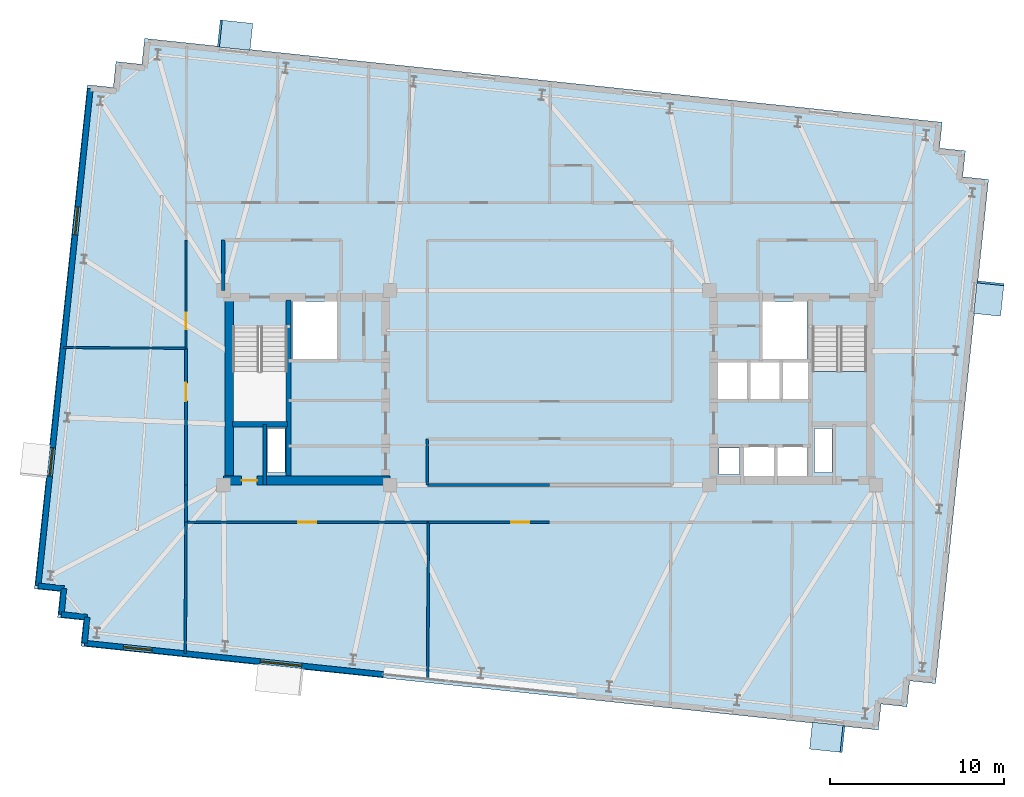
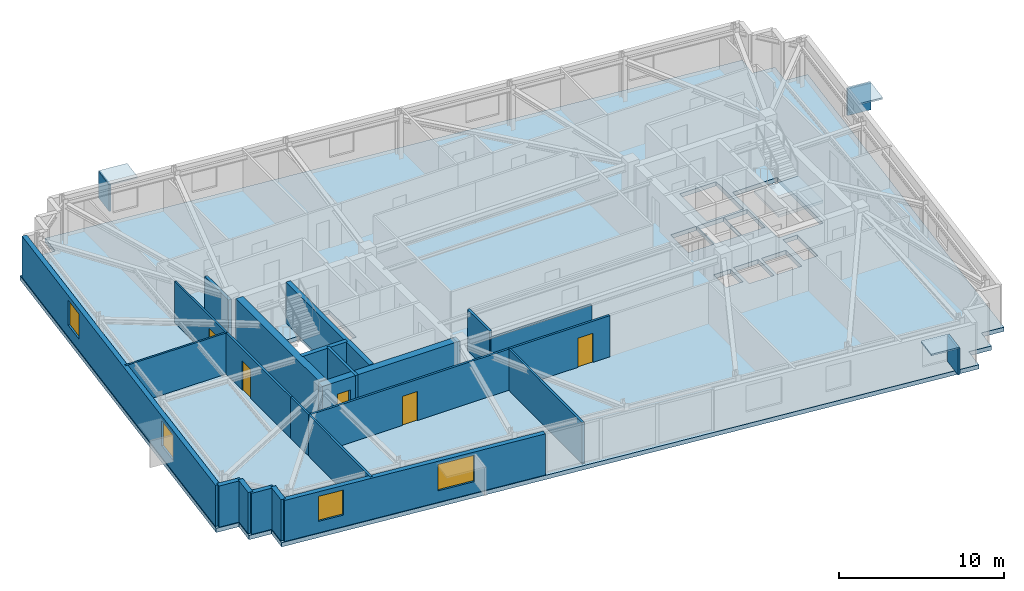
# One storey, part 7 of 13: 22 walls, 6 plates, 5 doors, 4 windows, 2 slabs, 9 openings, 1 element without a shape of its own.
"""IFC4 building model written with IfcOpenShell, lengths in metres."""

from ifc_helpers import new_model, si_unit, direction, frame, frame_2d, origin, origin_2d, place, context, subcontext, project, spatial, polyline, rectangle, outline, extrude, material, layer, layer_set, type_object, element, fill, aggregate, save


model = new_model("IFC4")

# Units and contexts
model_context = context("Model", 3, precision=1e-05, world=origin(), true_north=direction((0.0, 1.0)))
body_context = subcontext(model_context, "Body", "Model", "MODEL_VIEW")
ifc_project = project(units=[si_unit("LENGTHUNIT", "METRE"), si_unit("AREAUNIT", "SQUARE_METRE"), si_unit("VOLUMEUNIT", "CUBIC_METRE"), si_unit("PLANEANGLEUNIT", "RADIAN"), si_unit("MASSUNIT", "GRAM", prefix="KILO")], contexts=[model_context])

# Site, building, storey
site_placement = place(None, origin())
site = spatial("IfcSite", under=ifc_project, at=site_placement, CompositionType="ELEMENT")
building_placement = place(site_placement, origin())
building = spatial("IfcBuilding", under=site, at=building_placement, Name="Qobustan Lattice House", CompositionType="ELEMENT")
storey_placement = place(building_placement, frame((0.0, 0.0, 196.39990234375)))
storey = spatial("IfcBuildingStorey", under=building, at=storey_placement, Name="L55", CompositionType="ELEMENT", Elevation=196.39990234375)

# Plates
ifc_material_1 = material(Name="Qobustan limestone GFRC", Category="masonry")
ifc_layer_1 = layer(ifc_material_1, 0.1201171875)
ifc_layer_set_1 = layer_set([ifc_layer_1], Name="Qobustan limestone GFRC")
plate_type = type_object("IfcPlateType", Name="SHD-HOOD-BROW", PredefinedType="USERDEFINED", material=ifc_layer_set_1)
plate_1_placement = place(storey_placement, frame((-18.12158203125, 20.304443359375, 2.699951171875), z_axis=(0.0, 0.0, 1.0), x_axis=(0.994521895368, -0.104528463268, 0.0)))
element("IfcPlate", 1, at=plate_1_placement, inside=storey, type_object=plate_type, Name="L55 splayed Qobustan stone hood brow", ObjectType="SUNSHADE", PredefinedType="USERDEFINED", context=body_context, shape_type="SweptSolid", body=[
    extrude(rectangle(XDim=1.889892578125, YDim=1.56005859375, at=origin_2d()), origin(), (0.0, 0.0, 1.0), 0.1201171875),
])
plate_2_placement = place(storey_placement, frame((-19.001708984375, 20.39697265625, 0.7900390625), z_axis=(0.0, 0.0, 1.0), x_axis=(0.994521895368, -0.104528463268, 0.0)))
element("IfcPlate", 2, at=plate_2_placement, inside=storey, type_object=plate_type, Name="L55 splayed Qobustan stone hood cheek", ObjectType="SUNSHADE", PredefinedType="USERDEFINED", context=body_context, shape_type="SweptSolid", body=[
    extrude(rectangle(XDim=0.1201171875, YDim=1.56005859375, at=origin_2d()), origin(), (0.0, 0.0, 1.0), 1.969970703125),
])
plate_3_placement = place(storey_placement, frame((25.29638671875, 5.134521484375, 2.699951171875), z_axis=(0.0, 0.0, 1.0), x_axis=(-0.104528463268, -0.994521895368, 0.0)))
element("IfcPlate", 3, at=plate_3_placement, inside=storey, type_object=plate_type, Name="L55 splayed Qobustan stone hood brow", ObjectType="SUNSHADE", PredefinedType="USERDEFINED", context=body_context, shape_type="SweptSolid", body=[
    extrude(rectangle(XDim=1.889892578125, YDim=1.56005859375, at=origin_2d()), origin(), (0.0, 0.0, 1.0), 0.1201171875),
])
plate_4_placement = place(storey_placement, frame((25.388916015625, 6.0146484375, 0.7900390625), z_axis=(0.0, 0.0, 1.0), x_axis=(-0.104528463268, -0.994521895368, 0.0)))
element("IfcPlate", 4, at=plate_4_placement, inside=storey, type_object=plate_type, Name="L55 splayed Qobustan stone hood cheek", ObjectType="SUNSHADE", PredefinedType="USERDEFINED", context=body_context, shape_type="SweptSolid", body=[
    extrude(rectangle(XDim=0.1201171875, YDim=1.56005859375, at=origin_2d()), origin(), (0.0, 0.0, 1.0), 1.969970703125),
])
plate_5_placement = place(storey_placement, frame((15.990234375, -20.142822265625, 2.699951171875), z_axis=(0.0, 0.0, 1.0), x_axis=(-0.994521895368, 0.104528463268, 0.0)))
element("IfcPlate", 5, at=plate_5_placement, inside=storey, type_object=plate_type, Name="L55 splayed Qobustan stone hood brow", ObjectType="SUNSHADE", PredefinedType="USERDEFINED", context=body_context, shape_type="SweptSolid", body=[
    extrude(rectangle(XDim=1.889892578125, YDim=1.56005859375, at=origin_2d()), origin(), (0.0, 0.0, 1.0), 0.1201171875),
])
plate_6_placement = place(storey_placement, frame((16.870361328125, -20.2353515625, 0.7900390625), z_axis=(0.0, 0.0, 1.0), x_axis=(-0.994521895368, 0.104528463268, 0.0)))
element("IfcPlate", 6, at=plate_6_placement, inside=storey, type_object=plate_type, Name="L55 splayed Qobustan stone hood cheek", ObjectType="SUNSHADE", PredefinedType="USERDEFINED", context=body_context, shape_type="SweptSolid", body=[
    extrude(rectangle(XDim=0.1201171875, YDim=1.56005859375, at=origin_2d()), origin(), (0.0, 0.0, 1.0), 1.969970703125),
])

# Slab
ifc_material_2 = material(Name="Concrete C40/50", Category="concrete")
ifc_layer_2 = layer(ifc_material_2, 0.31005859375)
ifc_layer_set_2 = layer_set([ifc_layer_2], Name="Concrete C40/50")
slab_type_1 = type_object("IfcSlabType", Name="SLB-FLR-310", PredefinedType="FLOOR", material=ifc_layer_set_2)
slab_1_placement = place(storey_placement, frame((0.0, 0.0, -0.309814453125)))
element("IfcSlab", 7, at=slab_1_placement, inside=storey, type_object=slab_type_1, Name="L55 structural floor slab", PredefinedType="FLOOR", context=body_context, shape_type="SweptSolid", body=[
    extrude(outline(polyline([(-27.01318359375, -14.888916015625), (18.933837890625, -19.71826171875), (19.090576171875, -18.226318359375), (20.582275390625, -18.38330078125), (20.739013671875, -16.891357421875), (22.23095703125, -17.048095703125), (25.283203125, 11.99169921875), (23.79150390625, 12.148681640625), (23.947998046875, 13.640380859375), (22.456298828125, 13.797119140625), (22.61328125, 15.2890625), (-23.333740234375, 20.1181640625), (-23.490478515625, 18.62646484375), (-24.982421875, 18.783203125), (-25.13916015625, 17.29150390625), (-26.630859375, 17.4482421875), (-29.68310546875, -11.591796875), (-28.19140625, -11.74853515625), (-28.34814453125, -13.240478515625), (-26.8564453125, -13.397216796875), (-27.01318359375, -14.888916015625)]), holes=[polyline([(-18.25, -2.050048828125), (-18.25, 3.489990234375), (-15.1298828125, 3.489990234375), (-15.1298828125, -2.050048828125), (-18.25, -2.050048828125)]), polyline([(15.1298828125, -2.050048828125), (15.1298828125, 3.489990234375), (18.25, 3.489990234375), (18.25, -2.050048828125), (15.1298828125, -2.050048828125)]), polyline([(-14.820068359375, 1.64990234375), (-14.820068359375, 4.9599609375), (-12.25, 4.9599609375), (-12.25, 1.64990234375), (-14.820068359375, 1.64990234375)]), polyline([(12.25, 1.64990234375), (12.25, 4.9599609375), (14.820068359375, 4.9599609375), (14.820068359375, 1.64990234375), (12.25, 1.64990234375)]), polyline([(-16.260009765625, -4.8798828125), (-16.260009765625, -2.360107421875), (-15.260009765625, -2.360107421875), (-15.260009765625, -4.8798828125), (-16.260009765625, -4.8798828125)]), polyline([(15.260009765625, -4.8798828125), (15.260009765625, -2.360107421875), (16.260009765625, -2.360107421875), (16.260009765625, -4.8798828125), (15.260009765625, -4.8798828125)]), polyline([(11.179931640625, -5.35009765625), (11.179931640625, -3.419921875), (12.919921875, -3.419921875), (12.919921875, -5.35009765625), (11.179931640625, -5.35009765625)]), polyline([(13.1201171875, -5.35009765625), (13.1201171875, -3.419921875), (14.85009765625, -3.419921875), (14.85009765625, -5.35009765625), (13.1201171875, -5.35009765625)]), polyline([(9.760009765625, -5.0), (9.760009765625, -3.47998046875), (10.93994140625, -3.47998046875), (10.93994140625, -5.0), (9.760009765625, -5.0)]), polyline([(13.360107421875, -0.679931640625), (13.360107421875, 1.47998046875), (14.97998046875, 1.47998046875), (14.97998046875, -0.679931640625), (13.360107421875, -0.679931640625)]), polyline([(9.6201171875, -0.679931640625), (9.6201171875, 1.47998046875), (11.43994140625, 1.47998046875), (11.43994140625, -0.679931640625), (9.6201171875, -0.679931640625)]), polyline([(11.5, -0.679931640625), (11.5, 1.47998046875), (13.320068359375, 1.47998046875), (13.320068359375, -0.679931640625), (11.5, -0.679931640625)])]), origin(), (0.0, 0.0, 1.0), 0.309814453125),
])

# Stair, slab
ifc_material_3 = material(Name="Concrete C40/50", Category="concrete")
stair_type = type_object("IfcStairType", Name="STR-CORE-DOGLEG", PredefinedType="HALF_TURN_STAIR", material=ifc_material_3)
stair_placement = place(storey_placement, origin())
stair = element("IfcStair", 8, at=stair_placement, inside=storey, type_object=stair_type, Name="L55 East protected exit stair ST-E1", PredefinedType="HALF_TURN_STAIR")
ifc_material_4 = material(Name="Concrete C40/50", Category="concrete")
ifc_layer_3 = layer(ifc_material_4, 0.199951171875)
ifc_layer_set_3 = layer_set([ifc_layer_3], Name="Concrete C40/50")
slab_type_2 = type_object("IfcSlabType", Name="SLB-LANDING-200", PredefinedType="LANDING", material=ifc_layer_set_3)
slab_2_placement = place(storey_placement, frame((0.0, 0.0, 1.47509765625)))
slab_2 = element("IfcSlab", 9, at=slab_2_placement, type_object=slab_type_2, Name="ST-E1 landing 1", PredefinedType="LANDING", context=body_context, shape_type="SweptSolid", body=[
    extrude(outline(polyline([(15.1298828125, 0.93505859375), (15.1298828125, -2.050048828125), (18.25, -2.050048828125), (18.25, 0.93505859375), (15.1298828125, 0.93505859375)])), origin(), (0.0, 0.0, 1.0), 0.199951171875),
])
aggregate(stair, [slab_2])

# Wall, opening, door
ifc_material_5 = material(Name="Concrete C50/60", Category="concrete")
ifc_layer_4 = layer(ifc_material_5, 0.5)
ifc_layer_set_4 = layer_set([ifc_layer_4], Name="Concrete C50/60")
wall_type_1 = type_object("IfcWallType", Name="WAL-CORE-500", PredefinedType="SHEAR", material=ifc_layer_set_4)
wall_1_placement = place(storey_placement, frame((-18.800048828125, -5.35009765625, 0.0), z_axis=(0.0, 0.0, 1.0), x_axis=(1.0, 0.0, 0.0)))
wall_1 = element("IfcWall", 10, at=wall_1_placement, inside=storey, type_object=wall_type_1, Name="L55 split-core shear wall CW-S", PredefinedType="SHEAR", context=body_context, shape_type="SweptSolid", body=[
    extrude(rectangle(XDim=9.60009765625, YDim=0.5, at=frame_2d((4.800048828125, 0.0))), origin(), (0.0, 0.0, 1.0), 3.0400390625),
])
opening_1_placement = place(wall_1_placement, frame((1.050048828125, 0.0, 0.0)))
opening_1 = element("IfcOpeningElement", 11, at=opening_1_placement, cuts=wall_1, Name="Opening RD-01", PredefinedType="OPENING", context=body_context, shape_type="SweptSolid", body=[
    extrude(rectangle(XDim=0.89990234375, YDim=2.10009765625, at=frame_2d((0.449951171875, 1.050048828125))), frame((0.0, 0.260009765625, 0.0), z_axis=(0.0, -1.0, 0.0), x_axis=(1.0, 0.0, 0.0)), (0.0, 0.0, 1.0), 0.52001953125),
])
ifc_material_6 = material(Name="Persian walnut timber and steel frame door", Category="steel")
door_type_1 = type_object("IfcDoorType", Name="DOR-RISER-FD-900x2100", OperationType="NOTDEFINED", PredefinedType="DOOR", material=ifc_material_6)
door_1_placement = place(opening_1_placement, origin())
door_1 = element("IfcDoor", 12, at=door_1_placement, inside=storey, type_object=door_type_1, Name="L55 core service riser access door W", OperationType="SINGLE_SWING_LEFT", OverallHeight=2.10009765625, OverallWidth=0.89990234375, PredefinedType="DOOR", context=body_context, shape_type="SweptSolid", body=[
    extrude(rectangle(XDim=0.89990234375, YDim=2.10009765625, at=frame_2d((0.449951171875, 1.050048828125))), frame((0.0, 0.02490234375, 0.0), z_axis=(0.0, -1.0, 0.0), x_axis=(1.0, 0.0, 0.0)), (0.0, 0.0, 1.0), 0.050048828125),
])
fill(opening_1, door_1)

# Walls
wall_2_placement = place(storey_placement, frame((-18.4599609375, -5.050048828125, 0.0), z_axis=(0.0, 0.0, 1.0), x_axis=(0.0, 1.0, 0.0)))
element("IfcWall", 13, at=wall_2_placement, inside=storey, type_object=wall_type_1, Name="L55 split-core shear wall CW-W", PredefinedType="SHEAR", context=body_context, shape_type="SweptSolid", body=[
    extrude(rectangle(XDim=10.10009765625, YDim=0.5, at=frame_2d((5.050048828125, 0.0))), origin(), (0.0, 0.0, 1.0), 3.0400390625),
])
ifc_material_7 = material(Name="Concrete C50/60", Category="concrete")
ifc_layer_5 = layer(ifc_material_7, 0.280029296875)
ifc_layer_set_5 = layer_set([ifc_layer_5], Name="Concrete C50/60")
wall_type_2 = type_object("IfcWallType", Name="WAL-CORE-SPINE-280", PredefinedType="SHEAR", material=ifc_layer_set_5)
wall_3_placement = place(storey_placement, frame((-15.050048828125, -5.050048828125, 0.0), z_axis=(0.0, 0.0, 1.0), x_axis=(0.0, 1.0, 0.0)))
element("IfcWall", 14, at=wall_3_placement, inside=storey, type_object=wall_type_2, Name="L55 split-core shear wall CW-M", PredefinedType="SHEAR", context=body_context, shape_type="SweptSolid", body=[
    extrude(rectangle(XDim=10.10009765625, YDim=0.300048828125, at=frame_2d((5.050048828125, 0.0))), origin(), (0.0, 0.0, 1.0), 3.0400390625),
])
wall_4_placement = place(storey_placement, frame((-18.280029296875, -2.110107421875, 0.0), z_axis=(0.0, 0.0, 1.0), x_axis=(1.0, 0.0, 0.0)))
element("IfcWall", 15, at=wall_4_placement, inside=storey, type_object=wall_type_2, Name="L55 split-core shear wall CW-ST", PredefinedType="SHEAR", context=body_context, shape_type="SweptSolid", body=[
    extrude(rectangle(XDim=3.179931640625, YDim=0.300048828125, at=frame_2d((1.58984375, 0.0))), origin(), (0.0, 0.0, 1.0), 3.0400390625),
])
ifc_material_8 = material(Name="Precast concrete C40/50", Category="concrete")
ifc_layer_6 = layer(ifc_material_8, 0.320068359375)
ifc_layer_set_6 = layer_set([ifc_layer_6], Name="Precast concrete C40/50")
wall_type_3 = type_object("IfcWallType", Name="WAL-EXT-STONE-320", PredefinedType="SOLIDWALL", material=ifc_layer_set_6)
for number, where, z_axis, x_axis, name in (
    (16, (-26.79345703125, -14.7109375, 0.0), (0.0, 0.0, 1.0), (0.104498377516, 0.994525057048, 0.0), "L55 exterior limestone-clad wall 1"),
    (17, (-26.63671875, -13.21923828125, 0.0), (0.0, 0.0, 1.0), (-0.994525057048, 0.104498377516, 0.0), "L55 exterior limestone-clad wall 2"),
):
    element("IfcWall", number, at=place(storey_placement, frame(where, z_axis=z_axis, x_axis=x_axis)), inside=storey, type_object=wall_type_3, Name=name, PredefinedType="SOLIDWALL", context=body_context, shape_type="SweptSolid", body=[
        extrude(rectangle(XDim=1.5, YDim=0.320068359375, at=frame_2d((0.75, 0.0))), origin(), (0.0, 0.0, 1.0), 3.0400390625),
    ])
wall_5_placement = place(storey_placement, frame((-28.12841796875, -13.0625, 0.0), z_axis=(0.0, 0.0, 1.0), x_axis=(0.104481464157, 0.994526834051, 0.0)))
element("IfcWall", 18, at=wall_5_placement, inside=storey, type_object=wall_type_3, Name="L55 exterior limestone-clad wall 3", PredefinedType="SOLIDWALL", context=body_context, shape_type="SweptSolid", body=[
    extrude(rectangle(XDim=1.500244140625, YDim=0.320068359375, at=frame_2d((0.75, 0.0))), origin(), (0.0, 0.0, 1.0), 3.0400390625),
])
wall_6_placement = place(storey_placement, frame((-27.9716796875, -11.570556640625, 0.0), z_axis=(0.0, 0.0, 1.0), x_axis=(-0.994525057048, 0.104498377516, 0.0)))
element("IfcWall", 19, at=wall_6_placement, inside=storey, type_object=wall_type_3, Name="L55 exterior limestone-clad wall 4", PredefinedType="SOLIDWALL", context=body_context, shape_type="SweptSolid", body=[
    extrude(rectangle(XDim=1.5, YDim=0.320068359375, at=frame_2d((0.75, 0.0))), origin(), (0.0, 0.0, 1.0), 3.0400390625),
])

# Wall, openings, windows
wall_7_placement = place(storey_placement, frame((-29.46337890625, -11.413818359375, 0.0), z_axis=(0.0, 0.0, 1.0), x_axis=(0.104530779244, 0.994521651947, 0.0)))
wall_7 = element("IfcWall", 20, at=wall_7_placement, inside=storey, type_object=wall_type_3, Name="L55 exterior limestone-clad wall 5", PredefinedType="SOLIDWALL", context=body_context, shape_type="SweptSolid", body=[
    extrude(rectangle(XDim=28.800048828125, YDim=0.320068359375, at=frame_2d((14.39990234375, 0.0))), origin(), (0.0, 0.0, 1.0), 3.0400390625),
])
opening_2_placement = place(wall_7_placement, frame((6.35498046875, 0.0, 0.85009765625)))
opening_2 = element("IfcOpeningElement", 21, at=opening_2_placement, cuts=wall_7, Name="Opening WN-09", PredefinedType="OPENING", context=body_context, shape_type="SweptSolid", body=[
    extrude(rectangle(XDim=1.64990234375, YDim=1.85009765625, at=frame_2d((0.824951171875, 0.925048828125))), frame((0.0, 0.169921875, 0.0), z_axis=(0.0, -1.0, 0.0), x_axis=(1.0, 0.0, 0.0)), (0.0, 0.0, 1.0), 0.340087890625),
])
opening_3_placement = place(wall_7_placement, frame((20.338623046875, 0.0, 0.85009765625)))
opening_3 = element("IfcOpeningElement", 22, at=opening_3_placement, cuts=wall_7, Name="Opening WN-13", PredefinedType="OPENING", context=body_context, shape_type="SweptSolid", body=[
    extrude(rectangle(XDim=1.60009765625, YDim=1.85009765625, at=frame_2d((0.800048828125, 0.925048828125))), frame((0.0, 0.169921875, 0.0), z_axis=(0.0, -1.0, 0.0), x_axis=(1.0, 0.0, 0.0)), (0.0, 0.0, 1.0), 0.340087890625),
])
ifc_material_9 = material(Name="Double-glazed low-E aluminium window", Category="aluminium")
window_type_1 = type_object("IfcWindowType", Name="WIN-BED-1600x1850", PartitioningType="SINGLE_PANEL", PredefinedType="WINDOW", material=ifc_material_9)
window_1_placement = place(opening_3_placement, origin())
window_1 = element("IfcWindow", 23, at=window_1_placement, inside=storey, type_object=window_type_1, Name="L55 Music and podcast studio window", OverallHeight=1.85009765625, OverallWidth=1.60009765625, PartitioningType="SINGLE_PANEL", PredefinedType="WINDOW", context=body_context, shape_type="SweptSolid", body=[
    extrude(rectangle(XDim=1.60009765625, YDim=1.85009765625, at=frame_2d((0.800048828125, 0.925048828125))), frame((0.0, 0.030029296875, 0.0), z_axis=(0.0, -1.0, 0.0), x_axis=(1.0, 0.0, 0.0)), (0.0, 0.0, 1.0), 0.06005859375),
])
fill(opening_3, window_1)
ifc_material_10 = material(Name="Double-glazed low-E aluminium window", Category="aluminium")
window_type_2 = type_object("IfcWindowType", Name="WIN-STU-1650x1850", PartitioningType="SINGLE_PANEL", PredefinedType="WINDOW", material=ifc_material_10)
window_2_placement = place(opening_2_placement, origin())
window_2 = element("IfcWindow", 24, at=window_2_placement, inside=storey, type_object=window_type_2, Name="L55 Academic seminar room window", OverallHeight=1.85009765625, OverallWidth=1.64990234375, PartitioningType="SINGLE_PANEL", PredefinedType="WINDOW", context=body_context, shape_type="SweptSolid", body=[
    extrude(rectangle(XDim=1.64990234375, YDim=1.85009765625, at=frame_2d((0.824951171875, 0.925048828125))), frame((0.0, 0.030029296875, 0.0), z_axis=(0.0, -1.0, 0.0), x_axis=(1.0, 0.0, 0.0)), (0.0, 0.0, 1.0), 0.06005859375),
])
fill(opening_2, window_2)

wall_8_placement = place(storey_placement, frame((-9.588134765625, -16.519287109375, 0.0), z_axis=(0.0, 0.0, 1.0), x_axis=(-0.994521911171, 0.104528312915, 0.0)))
wall_8 = element("IfcWall", 25, at=wall_8_placement, inside=storey, type_object=wall_type_3, Name="L55 iwan flank stone wall B", PredefinedType="SOLIDWALL", context=body_context, shape_type="SweptSolid", body=[
    extrude(rectangle(XDim=17.300048828125, YDim=0.320068359375, at=frame_2d((8.64990234375, 0.0))), origin(), (0.0, 0.0, 1.0), 3.0400390625),
])
opening_4_placement = place(wall_8_placement, frame((4.716796875, 0.0, 0.85009765625)))
opening_4 = element("IfcOpeningElement", 26, at=opening_4_placement, cuts=wall_8, Name="Opening WN-10", PredefinedType="OPENING", context=body_context, shape_type="SweptSolid", body=[
    extrude(rectangle(XDim=2.39990234375, YDim=1.949951171875, at=frame_2d((1.199951171875, 0.97509765625))), frame((0.0, 0.169921875, 0.0), z_axis=(0.0, -1.0, 0.0), x_axis=(1.0, 0.0, 0.0)), (0.0, 0.0, 1.0), 0.340087890625),
])
opening_5_placement = place(wall_8_placement, frame((13.3916015625, 0.0, 0.85009765625)))
opening_5 = element("IfcOpeningElement", 27, at=opening_5_placement, cuts=wall_8, Name="Opening WN-09", PredefinedType="OPENING", context=body_context, shape_type="SweptSolid", body=[
    extrude(rectangle(XDim=1.64990234375, YDim=1.85009765625, at=frame_2d((0.824951171875, 0.925048828125))), frame((0.0, 0.169921875, 0.0), z_axis=(0.0, -1.0, 0.0), x_axis=(1.0, 0.0, 0.0)), (0.0, 0.0, 1.0), 0.340087890625),
])
ifc_material_11 = material(Name="Double-glazed low-E aluminium window", Category="aluminium")
window_type_3 = type_object("IfcWindowType", Name="WIN-LNG-2400x1950", PartitioningType="SINGLE_PANEL", PredefinedType="WINDOW", material=ifc_material_11)
window_3_placement = place(opening_4_placement, origin())
window_3 = element("IfcWindow", 28, at=window_3_placement, inside=storey, type_object=window_type_3, Name="L55 Walnut iwan sky lounge S1 window", OverallHeight=1.949951171875, OverallWidth=2.39990234375, PartitioningType="SINGLE_PANEL", PredefinedType="WINDOW", context=body_context, shape_type="SweptSolid", body=[
    extrude(rectangle(XDim=2.39990234375, YDim=1.949951171875, at=frame_2d((1.199951171875, 0.97509765625))), frame((0.0, 0.030029296875, 0.0), z_axis=(0.0, -1.0, 0.0), x_axis=(1.0, 0.0, 0.0)), (0.0, 0.0, 1.0), 0.06005859375),
])
fill(opening_4, window_3)
window_4_placement = place(opening_5_placement, origin())
window_4 = element("IfcWindow", 29, at=window_4_placement, inside=storey, type_object=window_type_2, Name="L55 Academic seminar room window", OverallHeight=1.85009765625, OverallWidth=1.64990234375, PartitioningType="SINGLE_PANEL", PredefinedType="WINDOW", context=body_context, shape_type="SweptSolid", body=[
    extrude(rectangle(XDim=1.64990234375, YDim=1.85009765625, at=frame_2d((0.824951171875, 0.925048828125))), frame((0.0, 0.030029296875, 0.0), z_axis=(0.0, -1.0, 0.0), x_axis=(1.0, 0.0, 0.0)), (0.0, 0.0, 1.0), 0.06005859375),
])
fill(opening_5, window_4)

# Wall, opening, door
ifc_material_12 = material(Name="Lightweight acoustic stud partition", Category="gypsum")
ifc_layer_7 = layer(ifc_material_12, 0.125)
ifc_layer_set_7 = layer_set([ifc_layer_7], Name="Lightweight acoustic stud partition")
wall_type_4 = type_object("IfcWallType", Name="WAL-PART-125", PredefinedType="PARTITIONING", material=ifc_layer_set_7)
wall_9_placement = place(storey_placement, frame((-20.949951171875, 2.26708984375, 0.0), z_axis=(0.0, 0.0, 1.0), x_axis=(0.0, 1.0, 0.0)))
wall_9 = element("IfcWall", 30, at=wall_9_placement, inside=storey, type_object=wall_type_4, Name="L55 interior partition 55", PredefinedType="PARTITIONING", context=body_context, shape_type="SweptSolid", body=[
    extrude(rectangle(XDim=6.23291015625, YDim=0.125, at=frame_2d((3.116455078125, 0.0))), origin(), (0.0, 0.0, 1.0), 3.0400390625),
])
opening_6_placement = place(wall_9_placement, frame((1.095458984375, 0.0, 0.0)))
opening_6 = element("IfcOpeningElement", 31, at=opening_6_placement, cuts=wall_9, Name="Opening ID-01", PredefinedType="OPENING", context=body_context, shape_type="SweptSolid", body=[
    extrude(rectangle(XDim=0.949951171875, YDim=2.10009765625, at=frame_2d((0.47509765625, 1.050048828125))), frame((0.0, 0.072509765625, 0.0), z_axis=(0.0, -1.0, 0.0), x_axis=(1.0, 0.0, 0.0)), (0.0, 0.0, 1.0), 0.14501953125),
])
ifc_material_13 = material(Name="Persian walnut timber and steel frame door", Category="steel")
door_type_2 = type_object("IfcDoorType", Name="DOR-ROOM-950x2100", OperationType="NOTDEFINED", PredefinedType="DOOR", material=ifc_material_13)
door_2_placement = place(opening_6_placement, origin())
door_2 = element("IfcDoor", 32, at=door_2_placement, inside=storey, type_object=door_type_2, Name="L55 West wing spine gallery to Music and podcast studio door", OperationType="SINGLE_SWING_RIGHT", OverallHeight=2.10009765625, OverallWidth=0.949951171875, PredefinedType="DOOR", context=body_context, shape_type="SweptSolid", body=[
    extrude(rectangle(XDim=0.949951171875, YDim=2.10009765625, at=frame_2d((0.47509765625, 1.050048828125))), frame((0.0, 0.02490234375, 0.0), z_axis=(0.0, -1.0, 0.0), x_axis=(1.0, 0.0, 0.0)), (0.0, 0.0, 1.0), 0.050048828125),
])
fill(opening_6, door_2)

# Walls
wall_10_placement = place(storey_placement, frame((-28.020751953125, 2.310791015625, 0.0), z_axis=(0.0, 0.0, 1.0), x_axis=(0.99998090118, -0.006180394355, 0.0)))
element("IfcWall", 33, at=wall_10_placement, inside=storey, type_object=wall_type_4, Name="L55 interior partition 64", PredefinedType="PARTITIONING", context=body_context, shape_type="SweptSolid", body=[
    extrude(rectangle(XDim=7.071044921875, YDim=0.125, at=frame_2d((3.53564453125, 0.0))), origin(), (0.0, 0.0, 1.0), 3.0400390625),
])
ifc_material_14 = material(Name="Acoustic twin-stud gypsum partition", Category="gypsum")
ifc_layer_8 = layer(ifc_material_14, 0.14990234375)
ifc_layer_set_8 = layer_set([ifc_layer_8], Name="Acoustic twin-stud gypsum partition")
wall_type_5 = type_object("IfcWallType", Name="WAL-PART-150", PredefinedType="PARTITIONING", material=ifc_layer_set_8)
wall_11_placement = place(storey_placement, frame((-20.949951171875, -7.75, 0.0), z_axis=(0.0, 0.0, 1.0), x_axis=(0.0, 1.0, 0.0)))
element("IfcWall", 34, at=wall_11_placement, inside=storey, type_object=wall_type_5, Name="L55 interior partition 45", PredefinedType="PARTITIONING", context=body_context, shape_type="SweptSolid", body=[
    extrude(rectangle(XDim=2.14990234375, YDim=0.14990234375, at=frame_2d((1.074951171875, 0.0))), origin(), (0.0, 0.0, 1.0), 3.0400390625),
])

# Wall, opening, door
wall_12_placement = place(storey_placement, frame((-6.98291015625, -7.75, 0.0), z_axis=(0.0, 0.0, 1.0), x_axis=(-1.0, 0.0, 0.0)))
wall_12 = element("IfcWall", 35, at=wall_12_placement, inside=storey, type_object=wall_type_5, Name="L55 interior partition 46", PredefinedType="PARTITIONING", context=body_context, shape_type="SweptSolid", body=[
    extrude(rectangle(XDim=13.967041015625, YDim=0.14990234375, at=frame_2d((6.9833984375, 0.0))), origin(), (0.0, 0.0, 1.0), 3.0400390625),
])
opening_7_placement = place(wall_12_placement, frame((6.45849609375, 0.0, 0.0)))
opening_7 = element("IfcOpeningElement", 36, at=opening_7_placement, cuts=wall_12, Name="Opening ID-02", PredefinedType="OPENING", context=body_context, shape_type="SweptSolid", body=[
    extrude(rectangle(XDim=1.050048828125, YDim=2.14990234375, at=frame_2d((0.52490234375, 1.074951171875))), frame((0.0, 0.0849609375, 0.0), z_axis=(0.0, -1.0, 0.0), x_axis=(1.0, 0.0, 0.0)), (0.0, 0.0, 1.0), 0.169921875),
])
ifc_material_15 = material(Name="Persian walnut timber and steel frame door", Category="steel")
door_type_3 = type_object("IfcDoorType", Name="DOR-STUDY-1050x2150", OperationType="NOTDEFINED", PredefinedType="DOOR", material=ifc_material_15)
door_3_placement = place(opening_7_placement, origin())
door_3 = element("IfcDoor", 37, at=door_3_placement, inside=storey, type_object=door_type_3, Name="L55 South-west floor corridor to Walnut iwan sky lounge S1 door", OperationType="SINGLE_SWING_LEFT", OverallHeight=2.14990234375, OverallWidth=1.050048828125, PredefinedType="DOOR", context=body_context, shape_type="SweptSolid", body=[
    extrude(rectangle(XDim=1.050048828125, YDim=2.14990234375, at=frame_2d((0.52490234375, 1.074951171875))), frame((0.0, 0.02490234375, 0.0), z_axis=(0.0, -1.0, 0.0), x_axis=(1.0, 0.0, 0.0)), (0.0, 0.0, 1.0), 0.050048828125),
])
fill(opening_7, door_3)

wall_13_placement = place(storey_placement, frame((0.0, -7.75, 0.0), z_axis=(0.0, 0.0, 1.0), x_axis=(-1.0, 0.0, 0.0)))
wall_13 = element("IfcWall", 38, at=wall_13_placement, inside=storey, type_object=wall_type_5, Name="L55 interior partition 47", PredefinedType="PARTITIONING", context=body_context, shape_type="SweptSolid", body=[
    extrude(rectangle(XDim=6.98291015625, YDim=0.14990234375, at=frame_2d((3.491455078125, 0.0))), origin(), (0.0, 0.0, 1.0), 3.0400390625),
])
opening_8_placement = place(wall_13_placement, frame((1.176513671875, 0.0, 0.0)))
opening_8 = element("IfcOpeningElement", 39, at=opening_8_placement, cuts=wall_13, Name="Opening ID-02", PredefinedType="OPENING", context=body_context, shape_type="SweptSolid", body=[
    extrude(rectangle(XDim=1.050048828125, YDim=2.14990234375, at=frame_2d((0.52490234375, 1.074951171875))), frame((0.0, 0.0849609375, 0.0), z_axis=(0.0, -1.0, 0.0), x_axis=(1.0, 0.0, 0.0)), (0.0, 0.0, 1.0), 0.169921875),
])
door_4_placement = place(opening_8_placement, origin())
door_4 = element("IfcDoor", 40, at=door_4_placement, inside=storey, type_object=door_type_3, Name="L55 South-west floor corridor to Walnut iwan sky lounge S2 door", OperationType="SINGLE_SWING_RIGHT", OverallHeight=2.14990234375, OverallWidth=1.050048828125, PredefinedType="DOOR", context=body_context, shape_type="SweptSolid", body=[
    extrude(rectangle(XDim=1.050048828125, YDim=2.14990234375, at=frame_2d((0.52490234375, 1.074951171875))), frame((0.0, 0.02490234375, 0.0), z_axis=(0.0, -1.0, 0.0), x_axis=(1.0, 0.0, 0.0)), (0.0, 0.0, 1.0), 0.050048828125),
])
fill(opening_8, door_4)

wall_14_placement = place(storey_placement, frame((-20.949951171875, -5.60009765625, 0.0), z_axis=(0.0, 0.0, 1.0), x_axis=(0.0, 1.0, 0.0)))
wall_14 = element("IfcWall", 41, at=wall_14_placement, inside=storey, type_object=wall_type_5, Name="L55 interior partition 54", PredefinedType="PARTITIONING", context=body_context, shape_type="SweptSolid", body=[
    extrude(rectangle(XDim=7.8671875, YDim=0.14990234375, at=frame_2d((3.93359375, 0.0))), origin(), (0.0, 0.0, 1.0), 3.0400390625),
])
opening_9_placement = place(wall_14_placement, frame((4.82275390625, 0.0, 0.0)))
opening_9 = element("IfcOpeningElement", 42, at=opening_9_placement, cuts=wall_14, Name="Opening ID-02", PredefinedType="OPENING", context=body_context, shape_type="SweptSolid", body=[
    extrude(rectangle(XDim=1.050048828125, YDim=2.14990234375, at=frame_2d((0.52490234375, 1.074951171875))), frame((0.0, 0.0849609375, 0.0), z_axis=(0.0, -1.0, 0.0), x_axis=(1.0, 0.0, 0.0)), (0.0, 0.0, 1.0), 0.169921875),
])
door_5_placement = place(opening_9_placement, origin())
door_5 = element("IfcDoor", 43, at=door_5_placement, inside=storey, type_object=door_type_3, Name="L55 West wing spine gallery to Academic seminar room door", OperationType="SINGLE_SWING_LEFT", OverallHeight=2.14990234375, OverallWidth=1.050048828125, PredefinedType="DOOR", context=body_context, shape_type="SweptSolid", body=[
    extrude(rectangle(XDim=1.050048828125, YDim=2.14990234375, at=frame_2d((0.52490234375, 1.074951171875))), frame((0.0, 0.02490234375, 0.0), z_axis=(0.0, -1.0, 0.0), x_axis=(1.0, 0.0, 0.0)), (0.0, 0.0, 1.0), 0.050048828125),
])
fill(opening_9, door_5)

# Walls
wall_15_placement = place(storey_placement, frame((-20.949951171875, -7.75, 0.0), z_axis=(0.0, 0.0, 1.0), x_axis=(-0.005804668564, -0.99998315277, 0.0)))
element("IfcWall", 44, at=wall_15_placement, inside=storey, type_object=wall_type_5, Name="L55 interior partition 65", PredefinedType="PARTITIONING", context=body_context, shape_type="SweptSolid", body=[
    extrude(rectangle(XDim=7.57080078125, YDim=0.14990234375, at=frame_2d((3.785400390625, 0.0))), origin(), (0.0, 0.0, 1.0), 3.0400390625),
])
wall_16_placement = place(storey_placement, frame((-6.98291015625, -7.75, 0.0), z_axis=(0.0, 0.0, 1.0), x_axis=(-0.004861916497, -0.999988180814, 0.0)))
element("IfcWall", 45, at=wall_16_placement, inside=storey, type_object=wall_type_5, Name="L55 interior partition 78", PredefinedType="PARTITIONING", context=body_context, shape_type="SweptSolid", body=[
    extrude(rectangle(XDim=9.03857421875, YDim=0.14990234375, at=frame_2d((4.519287109375, 0.0))), origin(), (0.0, 0.0, 1.0), 3.0400390625),
])
ifc_material_16 = material(Name="High-mass acoustic twin-stud partition", Category="gypsum")
ifc_layer_9 = layer(ifc_material_16, 0.1650390625)
ifc_layer_set_9 = layer_set([ifc_layer_9], Name="High-mass acoustic twin-stud partition")
wall_type_6 = type_object("IfcWallType", Name="WAL-PART-165", PredefinedType="PARTITIONING", material=ifc_layer_set_9)
wall_17_placement = place(storey_placement, frame((-7.050048828125, -5.60009765625, 0.0), z_axis=(0.0, 0.0, 1.0), x_axis=(1.0, 0.0, 0.0)))
element("IfcWall", 46, at=wall_17_placement, inside=storey, type_object=wall_type_6, Name="L55 interior partition 48", PredefinedType="PARTITIONING", context=body_context, shape_type="SweptSolid", body=[
    extrude(rectangle(XDim=7.050048828125, YDim=0.1650390625, at=frame_2d((3.52490234375, 0.0))), origin(), (0.0, 0.0, 1.0), 2.525146484375),
])
wall_18_placement = place(storey_placement, frame((-7.050048828125, -2.949951171875, 0.0), z_axis=(0.0, 0.0, 1.0), x_axis=(0.0, -1.0, 0.0)))
element("IfcWall", 47, at=wall_18_placement, inside=storey, type_object=wall_type_6, Name="L55 interior partition 61", PredefinedType="PARTITIONING", context=body_context, shape_type="SweptSolid", body=[
    extrude(rectangle(XDim=2.650146484375, YDim=0.1650390625, at=frame_2d((1.3251953125, 0.0))), origin(), (0.0, 0.0, 1.0), 3.0400390625),
])
ifc_material_17 = material(Name="Two-hour gypsum fireboard acoustic partition", Category="gypsum")
ifc_layer_10 = layer(ifc_material_17, 0.199951171875)
ifc_layer_set_10 = layer_set([ifc_layer_10], Name="Two-hour gypsum fireboard acoustic partition")
wall_type_7 = type_object("IfcWallType", Name="WAL-PROT-200", PredefinedType="PARTITIONING", material=ifc_layer_set_10)
wall_19_placement = place(storey_placement, frame((-18.800048828125, 8.5, 0.0), z_axis=(0.0, 0.0, 1.0), x_axis=(0.0, -1.0, 0.0)))
element("IfcWall", 48, at=wall_19_placement, inside=storey, type_object=wall_type_7, Name="L55 interior partition 4", PredefinedType="PARTITIONING", context=body_context, shape_type="SweptSolid", body=[
    extrude(rectangle(XDim=2.89990234375, YDim=0.199951171875, at=frame_2d((1.449951171875, 0.0))), origin(), (0.0, 0.0, 1.0), 2.6650390625),
])
ifc_material_18 = material(Name="Concrete C40/50", Category="concrete")
ifc_layer_11 = layer(ifc_material_18, 0.199951171875)
ifc_layer_set_11 = layer_set([ifc_layer_11], Name="Concrete C40/50")
wall_type_8 = type_object("IfcWallType", Name="WAL-SHAFT-200", PredefinedType="PARTITIONING", material=ifc_layer_set_11)
wall_20_placement = place(storey_placement, frame((-16.39990234375, -5.60009765625, 0.0), z_axis=(0.0, 0.0, 1.0), x_axis=(0.0, 1.0, 0.0)))
element("IfcWall", 49, at=wall_20_placement, inside=storey, type_object=wall_type_8, Name="L55 interior partition 1", PredefinedType="PARTITIONING", context=body_context, shape_type="SweptSolid", body=[
    extrude(rectangle(XDim=3.489990234375, YDim=0.199951171875, at=frame_2d((1.7451171875, 0.0))), origin(), (0.0, 0.0, 1.0), 3.0400390625),
])

save(model, "model.ifc")
